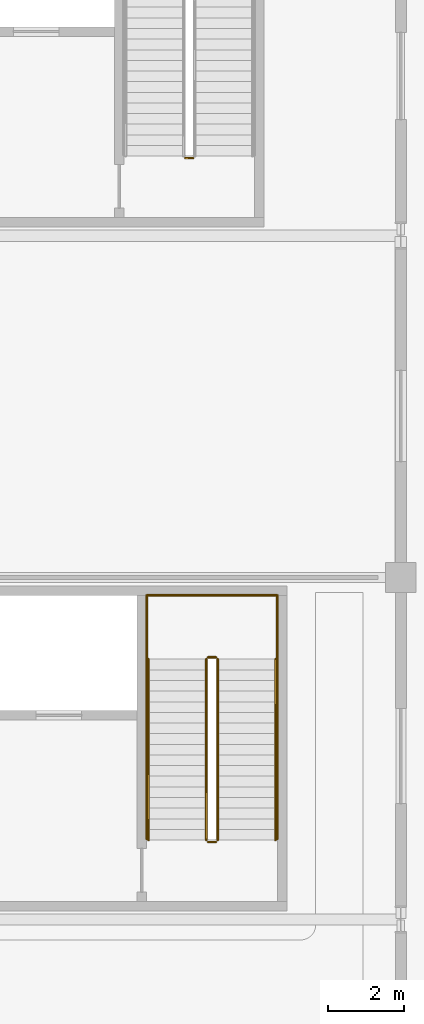
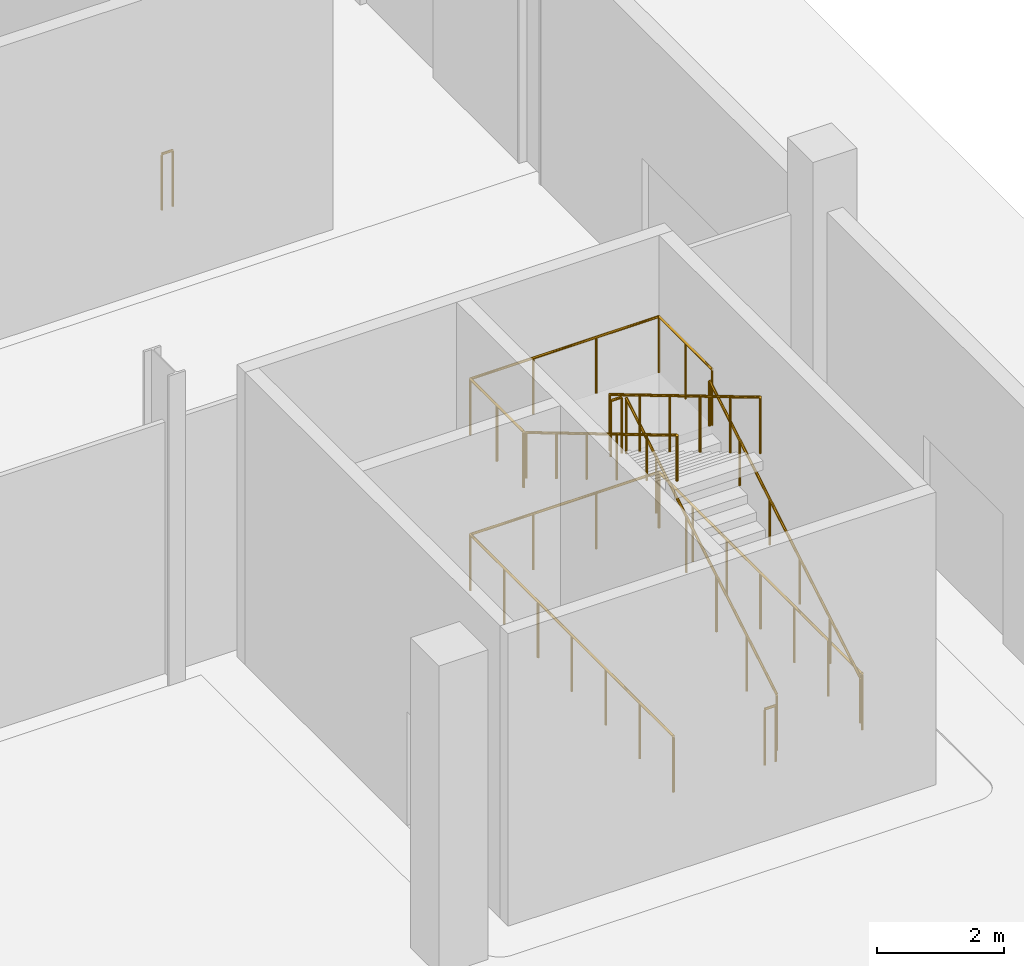
# One storey, part 50 of 58: 13 railings.
"""IFC4 building model written with IfcOpenShell, lengths in metres."""

from ifc_helpers import new_model, si_unit, direction, frame, origin, origin_2d, place, context, subcontext, project, spatial, circle, extrude, material, type_object, element, save


model = new_model("IFC4")

# Units and contexts
model_context = context("Model", 3, precision=1e-05, world=origin(), true_north=direction((0.0, 1.0)))
body_context = subcontext(model_context, "Body", "Model", "MODEL_VIEW")
ifc_project = project(units=[si_unit("LENGTHUNIT", "METRE"), si_unit("AREAUNIT", "SQUARE_METRE"), si_unit("VOLUMEUNIT", "CUBIC_METRE"), si_unit("PLANEANGLEUNIT", "RADIAN"), si_unit("MASSUNIT", "GRAM", prefix="KILO")], contexts=[model_context])

# Site, building, storey
site_placement = place(None, origin())
site = spatial("IfcSite", under=ifc_project, at=site_placement, CompositionType="ELEMENT")
building_placement = place(site_placement, origin())
building = spatial("IfcBuilding", under=site, at=building_placement, Name="Barlavento Convention Centre", CompositionType="ELEMENT")
storey_placement = place(building_placement, origin())
storey = spatial("IfcBuildingStorey", under=building, at=storey_placement, Name="L00", CompositionType="ELEMENT", Elevation=0.0)

# Railings
ifc_material_1 = material(Name="Stainless steel and laminated glass balustrade", Category="steel")
railing_type_1 = type_object("IfcRailingType", Name="ARC-RAL-BAL-1100", PredefinedType="BALUSTRADE", material=ifc_material_1)
railing_1_placement = place(storey_placement, frame((186.530029296875, 56.0400390625, 0.0)))
element("IfcRailing", 1, at=railing_1_placement, inside=storey, type_object=railing_type_1, Name="L00 ST05 stair guard 4", PredefinedType="BALUSTRADE", context=body_context, shape_type="SweptSolid", body=[
    extrude(circle(Radius=0.02392578125, at=origin_2d()), frame((0.0, 0.0, 1.076171875), z_axis=(-1.0, 0.0, 0.0), x_axis=(0.0, -1.0, 0.0)), (0.0, 0.0, 1.0), 0.199951171875),
    extrude(circle(Radius=0.02099609375, at=origin_2d()), origin(), (0.0, 0.0, 1.0), 1.052001953125),
    extrude(circle(Radius=0.02099609375, at=origin_2d()), frame((-0.199951171875, 0.0, 0.0)), (0.0, 0.0, 1.0), 1.052001953125),
])
railing_2_placement = place(storey_placement, frame((187.179931640625, 38.090087890625, 0.166748046875)))
element("IfcRailing", 2, at=railing_2_placement, inside=storey, type_object=railing_type_1, Name="L00 ST06 stair guard 1", PredefinedType="BALUSTRADE", context=body_context, shape_type="SweptSolid", body=[
    extrude(circle(Radius=0.02392578125, at=origin_2d()), frame((0.0, 0.0, 1.076171875), z_axis=(0.0, 0.859299802514, 0.511472237174), x_axis=(-1.0, 0.0, 0.0)), (0.0, 0.0, 1.0), 5.539306640625),
    extrude(circle(Radius=0.02099609375, at=origin_2d()), origin(), (0.0, 0.0, 1.0), 1.052001953125),
    extrude(circle(Radius=0.02099609375, at=origin_2d()), frame((0.0, 0.951904296875, 0.566650390625)), (0.0, 0.0, 1.0), 1.052001953125),
    extrude(circle(Radius=0.02099609375, at=origin_2d()), frame((0.0, 1.904052734375, 1.13330078125)), (0.0, 0.0, 1.0), 1.052001953125),
    extrude(circle(Radius=0.02099609375, at=origin_2d()), frame((0.0, 2.85595703125, 1.699951171875)), (0.0, 0.0, 1.0), 1.052001953125),
    extrude(circle(Radius=0.02099609375, at=origin_2d()), frame((0.0, 3.80810546875, 2.2666015625)), (0.0, 0.0, 1.0), 1.052001953125),
    extrude(circle(Radius=0.02099609375, at=origin_2d()), frame((0.0, 4.760009765625, 2.833251953125)), (0.0, 0.0, 1.0), 1.052001953125),
])
railing_3_placement = place(storey_placement, frame((187.1298828125, 42.89990234375, 3.0)))
element("IfcRailing", 3, at=railing_3_placement, inside=storey, type_object=railing_type_1, Name="L00 ST06 stair guard 2", PredefinedType="BALUSTRADE", context=body_context, shape_type="SweptSolid", body=[
    extrude(circle(Radius=0.02392578125, at=origin_2d()), frame((0.0, 0.0, 1.076171875), z_axis=(-1.0, 0.0, 0.0), x_axis=(0.0, -1.0, 0.0)), (0.0, 0.0, 1.0), 0.199951171875),
    extrude(circle(Radius=0.02099609375, at=origin_2d()), origin(), (0.0, 0.0, 1.0), 1.052001953125),
    extrude(circle(Radius=0.02099609375, at=origin_2d()), frame((-0.199951171875, 0.0, 0.0)), (0.0, 0.0, 1.0), 1.052001953125),
])
railing_4_placement = place(storey_placement, frame((186.8798828125, 42.85009765625, 3.166748046875)))
element("IfcRailing", 4, at=railing_4_placement, inside=storey, type_object=railing_type_1, Name="L00 ST06 stair guard 3", PredefinedType="BALUSTRADE", context=body_context, shape_type="SweptSolid", body=[
    extrude(circle(Radius=0.02392578125, at=origin_2d()), frame((0.0, 0.0, 1.076171875), z_axis=(0.0, -0.859299802514, 0.511472237174), x_axis=(1.0, 0.0, 0.0)), (0.0, 0.0, 1.0), 5.539306640625),
    extrude(circle(Radius=0.02099609375, at=origin_2d()), origin(), (0.0, 0.0, 1.0), 1.052001953125),
    extrude(circle(Radius=0.02099609375, at=origin_2d()), frame((0.0, -0.951904296875, 0.566650390625)), (0.0, 0.0, 1.0), 1.052001953125),
    extrude(circle(Radius=0.02099609375, at=origin_2d()), frame((0.0, -1.904052734375, 1.13330078125)), (0.0, 0.0, 1.0), 1.052001953125),
    extrude(circle(Radius=0.02099609375, at=origin_2d()), frame((0.0, -2.85595703125, 1.699951171875)), (0.0, 0.0, 1.0), 1.052001953125),
    extrude(circle(Radius=0.02099609375, at=origin_2d()), frame((0.0, -3.80810546875, 2.2666015625)), (0.0, 0.0, 1.0), 1.052001953125),
    extrude(circle(Radius=0.02099609375, at=origin_2d()), frame((0.0, -4.760009765625, 2.833251953125)), (0.0, 0.0, 1.0), 1.052001953125),
])
railing_5_placement = place(storey_placement, frame((187.1298828125, 38.0400390625, 0.0)))
element("IfcRailing", 5, at=railing_5_placement, inside=storey, type_object=railing_type_1, Name="L00 ST06 stair guard 4", PredefinedType="BALUSTRADE", context=body_context, shape_type="SweptSolid", body=[
    extrude(circle(Radius=0.02392578125, at=origin_2d()), frame((0.0, 0.0, 1.076171875), z_axis=(-1.0, 0.0, 0.0), x_axis=(0.0, -1.0, 0.0)), (0.0, 0.0, 1.0), 0.199951171875),
    extrude(circle(Radius=0.02099609375, at=origin_2d()), origin(), (0.0, 0.0, 1.0), 1.052001953125),
    extrude(circle(Radius=0.02099609375, at=origin_2d()), frame((-0.199951171875, 0.0, 0.0)), (0.0, 0.0, 1.0), 1.052001953125),
])
for number, where, name in (
    (6, (188.75, 42.85009765625, 3.0), "L00 landing guard GR01"),
    (7, (185.31005859375, 42.85009765625, 3.0), "L00 landing guard GR01"),
):
    element("IfcRailing", number, at=place(storey_placement, frame(where)), inside=storey, type_object=railing_type_1, Name=name, PredefinedType="BALUSTRADE", context=body_context, shape_type="SweptSolid", body=[
        extrude(circle(Radius=0.02392578125, at=origin_2d()), frame((0.0, 0.0, 1.076171875), z_axis=(0.0, 1.0, 0.0), x_axis=(-1.0, 0.0, 0.0)), (0.0, 0.0, 1.0), 1.679931640625),
        extrude(circle(Radius=0.02099609375, at=origin_2d()), origin(), (0.0, 0.0, 1.0), 1.052001953125),
        extrude(circle(Radius=0.02099609375, at=origin_2d()), frame((0.0, 0.83984375, 0.0)), (0.0, 0.0, 1.0), 1.052001953125),
        extrude(circle(Radius=0.02099609375, at=origin_2d()), frame((0.0, 1.679931640625, 0.0)), (0.0, 0.0, 1.0), 1.052001953125),
    ])
railing_6_placement = place(storey_placement, frame((188.75, 44.530029296875, 3.0)))
element("IfcRailing", 8, at=railing_6_placement, inside=storey, type_object=railing_type_1, Name="L00 landing guard GR01", PredefinedType="BALUSTRADE", context=body_context, shape_type="SweptSolid", body=[
    extrude(circle(Radius=0.02392578125, at=origin_2d()), frame((0.0, 0.0, 1.076171875), z_axis=(-1.0, 0.0, 0.0), x_axis=(0.0, -1.0, 0.0)), (0.0, 0.0, 1.0), 3.43994140625),
    extrude(circle(Radius=0.02099609375, at=origin_2d()), origin(), (0.0, 0.0, 1.0), 1.052001953125),
    extrude(circle(Radius=0.02099609375, at=origin_2d()), frame((-1.146728515625, 0.0, 0.0)), (0.0, 0.0, 1.0), 1.052001953125),
    extrude(circle(Radius=0.02099609375, at=origin_2d()), frame((-2.293212890625, 0.0, 0.0)), (0.0, 0.0, 1.0), 1.052001953125),
    extrude(circle(Radius=0.02099609375, at=origin_2d()), frame((-3.43994140625, 0.0, 0.0)), (0.0, 0.0, 1.0), 1.052001953125),
])
railing_7_placement = place(storey_placement, frame((188.75, 38.114990234375, 0.0)))
element("IfcRailing", 9, at=railing_7_placement, inside=storey, type_object=railing_type_1, Name="L00 stairwell perimeter guard GR01", PredefinedType="BALUSTRADE", context=body_context, shape_type="SweptSolid", body=[
    extrude(circle(Radius=0.02392578125, at=origin_2d()), frame((0.0, 0.0, 1.076171875), z_axis=(0.0, 1.0, 0.0), x_axis=(-1.0, 0.0, 0.0)), (0.0, 0.0, 1.0), 6.4150390625),
    extrude(circle(Radius=0.02099609375, at=origin_2d()), origin(), (0.0, 0.0, 1.0), 1.052001953125),
    extrude(circle(Radius=0.02099609375, at=origin_2d()), frame((0.0, 1.069091796875, 0.0)), (0.0, 0.0, 1.0), 1.052001953125),
    extrude(circle(Radius=0.02099609375, at=origin_2d()), frame((0.0, 2.138427734375, 0.0)), (0.0, 0.0, 1.0), 1.052001953125),
    extrude(circle(Radius=0.02099609375, at=origin_2d()), frame((0.0, 3.20751953125, 0.0)), (0.0, 0.0, 1.0), 1.052001953125),
    extrude(circle(Radius=0.02099609375, at=origin_2d()), frame((0.0, 4.276611328125, 0.0)), (0.0, 0.0, 1.0), 1.052001953125),
    extrude(circle(Radius=0.02099609375, at=origin_2d()), frame((0.0, 5.345947265625, 0.0)), (0.0, 0.0, 1.0), 1.052001953125),
    extrude(circle(Radius=0.02099609375, at=origin_2d()), frame((0.0, 6.4150390625, 0.0)), (0.0, 0.0, 1.0), 1.052001953125),
])
railing_8_placement = place(storey_placement, frame((188.75, 44.530029296875, 0.0)))
element("IfcRailing", 10, at=railing_8_placement, inside=storey, type_object=railing_type_1, Name="L00 stairwell perimeter guard GR01", PredefinedType="BALUSTRADE", context=body_context, shape_type="SweptSolid", body=[
    extrude(circle(Radius=0.02392578125, at=origin_2d()), frame((0.0, 0.0, 1.076171875), z_axis=(-1.0, 0.0, 0.0), x_axis=(0.0, -1.0, 0.0)), (0.0, 0.0, 1.0), 3.43994140625),
    extrude(circle(Radius=0.02099609375, at=origin_2d()), origin(), (0.0, 0.0, 1.0), 1.052001953125),
    extrude(circle(Radius=0.02099609375, at=origin_2d()), frame((-1.146728515625, 0.0, 0.0)), (0.0, 0.0, 1.0), 1.052001953125),
    extrude(circle(Radius=0.02099609375, at=origin_2d()), frame((-2.293212890625, 0.0, 0.0)), (0.0, 0.0, 1.0), 1.052001953125),
    extrude(circle(Radius=0.02099609375, at=origin_2d()), frame((-3.43994140625, 0.0, 0.0)), (0.0, 0.0, 1.0), 1.052001953125),
])
railing_9_placement = place(storey_placement, frame((185.31005859375, 44.530029296875, 0.0)))
element("IfcRailing", 11, at=railing_9_placement, inside=storey, type_object=railing_type_1, Name="L00 stairwell perimeter guard GR01", PredefinedType="BALUSTRADE", context=body_context, shape_type="SweptSolid", body=[
    extrude(circle(Radius=0.02392578125, at=origin_2d()), frame((0.0, 0.0, 1.076171875), z_axis=(0.0, -1.0, 0.0), x_axis=(1.0, 0.0, 0.0)), (0.0, 0.0, 1.0), 6.4150390625),
    extrude(circle(Radius=0.02099609375, at=origin_2d()), origin(), (0.0, 0.0, 1.0), 1.052001953125),
    extrude(circle(Radius=0.02099609375, at=origin_2d()), frame((0.0, -1.069091796875, 0.0)), (0.0, 0.0, 1.0), 1.052001953125),
    extrude(circle(Radius=0.02099609375, at=origin_2d()), frame((0.0, -2.138427734375, 0.0)), (0.0, 0.0, 1.0), 1.052001953125),
    extrude(circle(Radius=0.02099609375, at=origin_2d()), frame((0.0, -3.20751953125, 0.0)), (0.0, 0.0, 1.0), 1.052001953125),
    extrude(circle(Radius=0.02099609375, at=origin_2d()), frame((0.0, -4.276611328125, 0.0)), (0.0, 0.0, 1.0), 1.052001953125),
    extrude(circle(Radius=0.02099609375, at=origin_2d()), frame((0.0, -5.345947265625, 0.0)), (0.0, 0.0, 1.0), 1.052001953125),
    extrude(circle(Radius=0.02099609375, at=origin_2d()), frame((0.0, -6.4150390625, 0.0)), (0.0, 0.0, 1.0), 1.052001953125),
])
ifc_material_2 = material(Name="Brushed stainless steel tubular handrail", Category="steel")
railing_type_2 = type_object("IfcRailingType", Name="ARC-RAL-HR-900", PredefinedType="HANDRAIL", material=ifc_material_2)
railing_10_placement = place(storey_placement, frame((188.699951171875, 38.090087890625, 0.166748046875)))
element("IfcRailing", 12, at=railing_10_placement, inside=storey, type_object=railing_type_2, Name="L00 ST06 stair handrail 1", PredefinedType="HANDRAIL", context=body_context, shape_type="SweptSolid", body=[
    extrude(circle(Radius=0.02392578125, at=origin_2d()), frame((0.0, 0.0, 0.8759765625), z_axis=(0.0, 0.859299802514, 0.511472237174), x_axis=(-1.0, 0.0, 0.0)), (0.0, 0.0, 1.0), 5.539306640625),
    extrude(circle(Radius=0.02099609375, at=origin_2d()), origin(), (0.0, 0.0, 1.0), 0.851806640625),
    extrude(circle(Radius=0.02099609375, at=origin_2d()), frame((0.0, 0.951904296875, 0.566650390625)), (0.0, 0.0, 1.0), 0.851806640625),
    extrude(circle(Radius=0.02099609375, at=origin_2d()), frame((0.0, 1.904052734375, 1.13330078125)), (0.0, 0.0, 1.0), 0.851806640625),
    extrude(circle(Radius=0.02099609375, at=origin_2d()), frame((0.0, 2.85595703125, 1.699951171875)), (0.0, 0.0, 1.0), 0.851806640625),
    extrude(circle(Radius=0.02099609375, at=origin_2d()), frame((0.0, 3.80810546875, 2.2666015625)), (0.0, 0.0, 1.0), 0.851806640625),
    extrude(circle(Radius=0.02099609375, at=origin_2d()), frame((0.0, 4.760009765625, 2.833251953125)), (0.0, 0.0, 1.0), 0.851806640625),
])
railing_11_placement = place(storey_placement, frame((185.360107421875, 42.85009765625, 3.166748046875)))
element("IfcRailing", 13, at=railing_11_placement, inside=storey, type_object=railing_type_2, Name="L00 ST06 stair handrail 2", PredefinedType="HANDRAIL", context=body_context, shape_type="SweptSolid", body=[
    extrude(circle(Radius=0.02392578125, at=origin_2d()), frame((0.0, 0.0, 0.8759765625), z_axis=(0.0, -0.859299802514, 0.511472237174), x_axis=(1.0, 0.0, 0.0)), (0.0, 0.0, 1.0), 5.539306640625),
    extrude(circle(Radius=0.02099609375, at=origin_2d()), origin(), (0.0, 0.0, 1.0), 0.851806640625),
    extrude(circle(Radius=0.02099609375, at=origin_2d()), frame((0.0, -0.951904296875, 0.566650390625)), (0.0, 0.0, 1.0), 0.851806640625),
    extrude(circle(Radius=0.02099609375, at=origin_2d()), frame((0.0, -1.904052734375, 1.13330078125)), (0.0, 0.0, 1.0), 0.851806640625),
    extrude(circle(Radius=0.02099609375, at=origin_2d()), frame((0.0, -2.85595703125, 1.699951171875)), (0.0, 0.0, 1.0), 0.851806640625),
    extrude(circle(Radius=0.02099609375, at=origin_2d()), frame((0.0, -3.80810546875, 2.2666015625)), (0.0, 0.0, 1.0), 0.851806640625),
    extrude(circle(Radius=0.02099609375, at=origin_2d()), frame((0.0, -4.760009765625, 2.833251953125)), (0.0, 0.0, 1.0), 0.851806640625),
])

save(model, "model.ifc")
